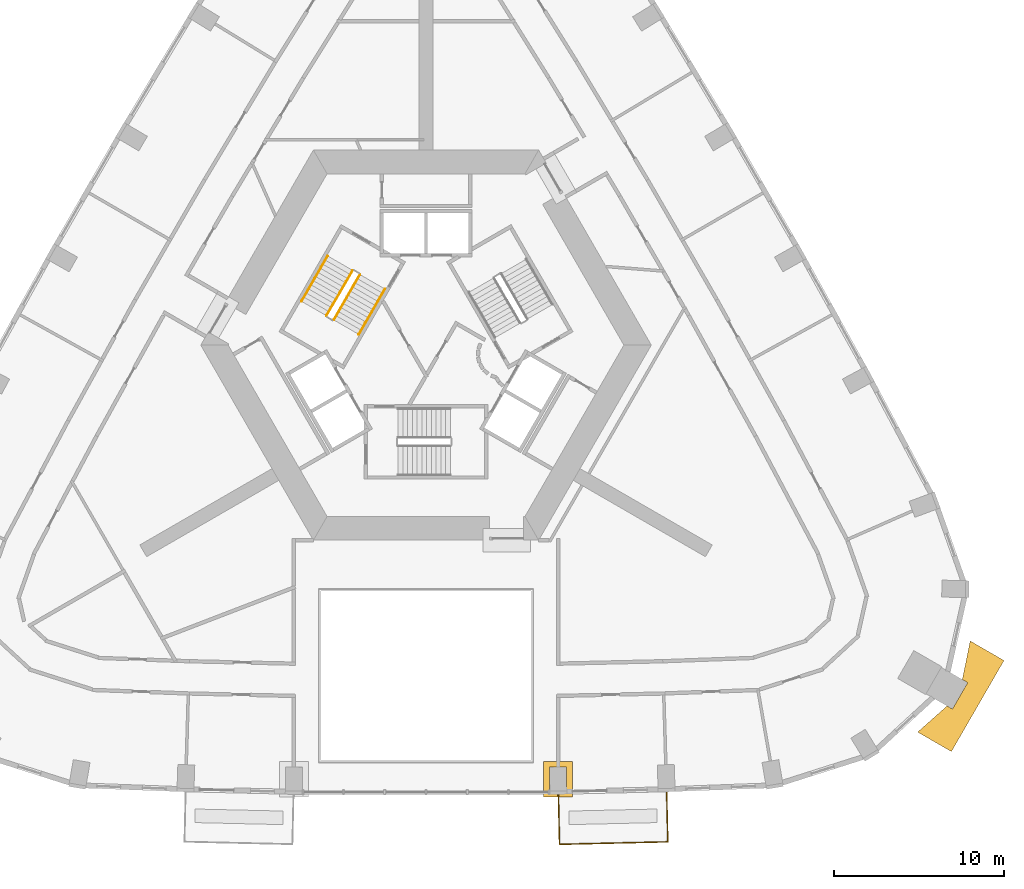
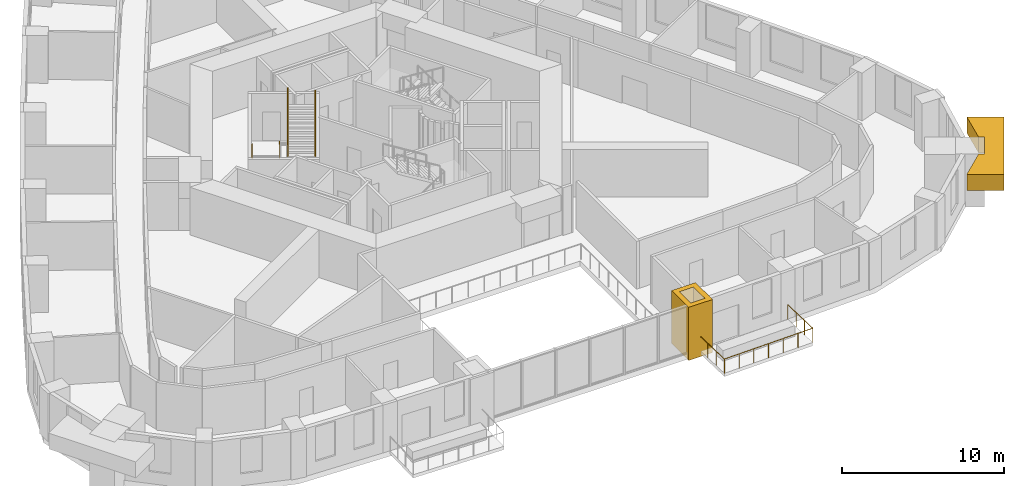
# One storey, part 12 of 13: 5 railings, 2 coverings.
"""IFC4 building model written with IfcOpenShell, lengths in metres."""

from ifc_helpers import new_model, si_unit, direction, frame, origin, origin_2d, place, context, subcontext, project, spatial, polyline, circle, outline, extrude, material, type_object, element, save


model = new_model("IFC4")

# Units and contexts
model_context = context("Model", 3, precision=1e-05, world=origin(), true_north=direction((0.0, 1.0)))
body_context = subcontext(model_context, "Body", "Model", "MODEL_VIEW")
ifc_project = project(units=[si_unit("LENGTHUNIT", "METRE"), si_unit("AREAUNIT", "SQUARE_METRE"), si_unit("VOLUMEUNIT", "CUBIC_METRE"), si_unit("PLANEANGLEUNIT", "RADIAN"), si_unit("MASSUNIT", "GRAM", prefix="KILO")], contexts=[model_context])

# Site, building, storey
site_placement = place(None, origin())
site = spatial("IfcSite", under=ifc_project, at=site_placement, CompositionType="ELEMENT")
building_placement = place(site_placement, origin())
building = spatial("IfcBuilding", under=site, at=building_placement, Name="Entoto Arch Interchange Tower", CompositionType="ELEMENT")
storey_placement = place(building_placement, frame((0.0, 0.0, 231.800048828125)))
storey = spatial("IfcBuildingStorey", under=building, at=storey_placement, Name="L52", CompositionType="ELEMENT", Elevation=231.800048828125)

# Railing
ifc_material_1 = material(Name="Stainless steel 1.4301", Category="steel")
railing_type_1 = type_object("IfcRailingType", Name="GUARD 1100 STEEL AND GLASS", PredefinedType="GUARDRAIL", material=ifc_material_1)
railing_1_placement = place(storey_placement, frame((7.800048828125, -23.97802734375, 0.0)))
element("IfcRailing", 1, at=railing_1_placement, inside=storey, type_object=railing_type_1, Name="Balcony guard S-04 L52", PredefinedType="GUARDRAIL", context=body_context, shape_type="SweptSolid", body=[
    extrude(circle(Radius=0.02392578125, at=origin_2d()), frame((0.0, 0.0, 1.076171875), z_axis=(0.023009057152, -0.9997352566, 0.0), x_axis=(0.9997352566, 0.023009057152, 0.0)), (0.0, 0.0, 1.0), 2.94970703125),
    extrude(circle(Radius=0.02392578125, at=origin_2d()), frame((0.06787109375, -2.948974609375, 1.076171875), z_axis=(0.999731652604, 0.023165119928, 0.0), x_axis=(-0.023165119928, 0.999731652604, 0.0)), (0.0, 0.0, 1.0), 6.38671875),
    extrude(circle(Radius=0.02392578125, at=origin_2d()), frame((6.452880859375, -2.801025390625, 1.076171875), z_axis=(-0.023009057152, 0.9997352566, 0.0), x_axis=(-0.9997352566, -0.023009057152, 0.0)), (0.0, 0.0, 1.0), 2.94970703125),
    extrude(circle(Radius=0.02099609375, at=origin_2d()), origin(), (0.0, 0.0, 1.0), 1.052001953125),
    extrude(circle(Radius=0.02099609375, at=origin_2d()), frame((0.022705078125, -0.98291015625, 0.0)), (0.0, 0.0, 1.0), 1.052001953125),
    extrude(circle(Radius=0.02099609375, at=origin_2d()), frame((0.045166015625, -1.966064453125, 0.0)), (0.0, 0.0, 1.0), 1.052001953125),
    extrude(circle(Radius=0.02099609375, at=origin_2d()), frame((0.06787109375, -2.948974609375, 0.0)), (0.0, 0.0, 1.0), 1.052001953125),
    extrude(circle(Radius=0.02099609375, at=origin_2d()), frame((1.132080078125, -2.92431640625, 0.0)), (0.0, 0.0, 1.0), 1.052001953125),
    extrude(circle(Radius=0.02099609375, at=origin_2d()), frame((2.1962890625, -2.899658203125, 0.0)), (0.0, 0.0, 1.0), 1.052001953125),
    extrude(circle(Radius=0.02099609375, at=origin_2d()), frame((3.26025390625, -2.875, 0.0)), (0.0, 0.0, 1.0), 1.052001953125),
    extrude(circle(Radius=0.02099609375, at=origin_2d()), frame((4.324462890625, -2.850341796875, 0.0)), (0.0, 0.0, 1.0), 1.052001953125),
    extrude(circle(Radius=0.02099609375, at=origin_2d()), frame((5.388671875, -2.82568359375, 0.0)), (0.0, 0.0, 1.0), 1.052001953125),
    extrude(circle(Radius=0.02099609375, at=origin_2d()), frame((6.452880859375, -2.801025390625, 0.0)), (0.0, 0.0, 1.0), 1.052001953125),
    extrude(circle(Radius=0.02099609375, at=origin_2d()), frame((6.43017578125, -1.818115234375, 0.0)), (0.0, 0.0, 1.0), 1.052001953125),
    extrude(circle(Radius=0.02099609375, at=origin_2d()), frame((6.40771484375, -0.8349609375, 0.0)), (0.0, 0.0, 1.0), 1.052001953125),
    extrude(circle(Radius=0.02099609375, at=origin_2d()), frame((6.385009765625, 0.14794921875, 0.0)), (0.0, 0.0, 1.0), 1.052001953125),
])

# Coverings
ifc_material_2 = material(Name="Board-marked precast concrete C50/60", Category="concrete")
covering_type = type_object("IfcCoveringType", Name="PRECAST FRAME COURSE", PredefinedType="CLADDING", material=ifc_material_2)
covering_1_placement = place(storey_placement, frame((0.0, 0.0, 2.39990234375)))
element("IfcCovering", 2, at=covering_1_placement, inside=storey, type_object=covering_type, Name="Corner pilaster head SE L51-L52", PredefinedType="CLADDING", context=body_context, shape_type="SweptSolid", body=[
    extrude(outline(polyline([(34.068115234375, -16.089111328125), (30.968017578125, -21.458984375), (28.97607421875, -20.30908203125), (30.7119140625, -18.77001953125), (31.028076171875, -18.952880859375), (31.927978515625, -17.39501953125), (31.612060546875, -17.2119140625), (32.075927734375, -14.93896484375), (34.068115234375, -16.089111328125)])), origin(), (0.0, 0.0, 1.0), 1.199951171875),
])
covering_2_placement = place(storey_placement, frame((0.0, 0.0, -0.400146484375)))
element("IfcCovering", 3, at=covering_2_placement, inside=storey, type_object=covering_type, Name="Gate pier L52", PredefinedType="CLADDING", context=body_context, shape_type="SweptSolid", body=[
    extrude(outline(polyline([(6.93798828125, -22.028076171875), (8.637939453125, -22.028076171875), (8.637939453125, -24.1279296875), (6.93798828125, -24.1279296875), (6.93798828125, -22.028076171875)]), holes=[polyline([(7.2880859375, -22.3779296875), (7.2880859375, -23.778076171875), (8.2880859375, -23.778076171875), (8.2880859375, -22.3779296875), (7.2880859375, -22.3779296875)])]), origin(), (0.0, 0.0, 1.0), 4.0),
])

# Railings
railing_type_2 = type_object("IfcRailingType", Name="STAIR GUARD 1100 STEEL", PredefinedType="GUARDRAIL", material=ifc_material_1)
railing_2_placement = place(storey_placement, frame((-4.327880859375, 6.904052734375, 0.175048828125)))
element("IfcRailing", 4, at=railing_2_placement, inside=storey, type_object=railing_type_2, Name="L52 ST-NW stair guard 1", PredefinedType="GUARDRAIL", context=body_context, shape_type="SweptSolid", body=[
    extrude(circle(Radius=0.02392578125, at=origin_2d()), frame((0.0, 0.0, 1.076171875), z_axis=(-0.424009578203, -0.734421155904, 0.529944755001), x_axis=(0.866029832698, -0.499992328818, 0.0)), (0.0, 0.0, 1.0), 3.632080078125),
    extrude(circle(Radius=0.02099609375, at=origin_2d()), origin(), (0.0, 0.0, 1.0), 1.052001953125),
    extrude(circle(Radius=0.02099609375, at=origin_2d()), frame((-0.385009765625, -0.6669921875, 0.481201171875)), (0.0, 0.0, 1.0), 1.052001953125),
    extrude(circle(Radius=0.02099609375, at=origin_2d()), frame((-0.77001953125, -1.333740234375, 0.96240234375)), (0.0, 0.0, 1.0), 1.052001953125),
    extrude(circle(Radius=0.02099609375, at=origin_2d()), frame((-1.155029296875, -2.00048828125, 1.443603515625)), (0.0, 0.0, 1.0), 1.052001953125),
    extrude(circle(Radius=0.02099609375, at=origin_2d()), frame((-1.5400390625, -2.66748046875, 1.9248046875)), (0.0, 0.0, 1.0), 1.052001953125),
])
railing_3_placement = place(storey_placement, frame((-5.434814453125, 3.986572265625, 2.27490234375)))
element("IfcRailing", 5, at=railing_3_placement, inside=storey, type_object=railing_type_2, Name="L52 ST-NW stair guard 3", PredefinedType="GUARDRAIL", context=body_context, shape_type="SweptSolid", body=[
    extrude(circle(Radius=0.02392578125, at=origin_2d()), frame((0.0, 0.0, 1.076171875), z_axis=(0.423994474112, 0.734394994316, 0.52999309264), x_axis=(-0.866029832698, 0.499992328818, 0.0)), (0.0, 0.0, 1.0), 3.63232421875),
    extrude(circle(Radius=0.02099609375, at=origin_2d()), origin(), (0.0, 0.0, 1.0), 1.052001953125),
    extrude(circle(Radius=0.02099609375, at=origin_2d()), frame((0.385009765625, 0.6669921875, 0.481201171875)), (0.0, 0.0, 1.0), 1.052001953125),
    extrude(circle(Radius=0.02099609375, at=origin_2d()), frame((0.77001953125, 1.333740234375, 0.96240234375)), (0.0, 0.0, 1.0), 1.052001953125),
    extrude(circle(Radius=0.02099609375, at=origin_2d()), frame((1.155029296875, 2.00048828125, 1.44384765625)), (0.0, 0.0, 1.0), 1.052001953125),
    extrude(circle(Radius=0.02099609375, at=origin_2d()), frame((1.5400390625, 2.66748046875, 1.925048828125)), (0.0, 0.0, 1.0), 1.052001953125),
])
railing_type_3 = type_object("IfcRailingType", Name="STAIR HANDRAIL 900 STEEL", PredefinedType="HANDRAIL", material=ifc_material_1)
railing_4_placement = place(storey_placement, frame((-5.800048828125, 7.75390625, 0.175048828125)))
element("IfcRailing", 6, at=railing_4_placement, inside=storey, type_object=railing_type_3, Name="L52 ST-NW stair handrail 1", PredefinedType="HANDRAIL", context=body_context, shape_type="SweptSolid", body=[
    extrude(circle(Radius=0.02392578125, at=origin_2d()), frame((0.0, 0.0, 0.8759765625), z_axis=(-0.42403051051, -0.734390191396, 0.529970917068), x_axis=(0.866010015463, -0.500026652407, 0.0)), (0.0, 0.0, 1.0), 3.6318359375),
    extrude(circle(Radius=0.02099609375, at=origin_2d()), origin(), (0.0, 0.0, 1.0), 0.851806640625),
    extrude(circle(Radius=0.02099609375, at=origin_2d()), frame((-0.385009765625, -0.666748046875, 0.481201171875)), (0.0, 0.0, 1.0), 0.851806640625),
    extrude(circle(Radius=0.02099609375, at=origin_2d()), frame((-0.77001953125, -1.33349609375, 0.96240234375)), (0.0, 0.0, 1.0), 0.851806640625),
    extrude(circle(Radius=0.02099609375, at=origin_2d()), frame((-1.155029296875, -2.00048828125, 1.443603515625)), (0.0, 0.0, 1.0), 0.851806640625),
    extrude(circle(Radius=0.02099609375, at=origin_2d()), frame((-1.5400390625, -2.667236328125, 1.9248046875)), (0.0, 0.0, 1.0), 0.851806640625),
])
railing_5_placement = place(storey_placement, frame((-3.962646484375, 3.136474609375, 2.27490234375)))
element("IfcRailing", 7, at=railing_5_placement, inside=storey, type_object=railing_type_3, Name="L52 ST-NW stair handrail 2", PredefinedType="HANDRAIL", context=body_context, shape_type="SweptSolid", body=[
    extrude(circle(Radius=0.02392578125, at=origin_2d()), frame((0.0, 0.0, 0.8759765625), z_axis=(0.423994474112, 0.734394994316, 0.52999309264), x_axis=(-0.866029832698, 0.499992328818, 0.0)), (0.0, 0.0, 1.0), 3.63232421875),
    extrude(circle(Radius=0.02099609375, at=origin_2d()), origin(), (0.0, 0.0, 1.0), 0.851806640625),
    extrude(circle(Radius=0.02099609375, at=origin_2d()), frame((0.385009765625, 0.6669921875, 0.481201171875)), (0.0, 0.0, 1.0), 0.851806640625),
    extrude(circle(Radius=0.02099609375, at=origin_2d()), frame((0.77001953125, 1.333740234375, 0.96240234375)), (0.0, 0.0, 1.0), 0.851806640625),
    extrude(circle(Radius=0.02099609375, at=origin_2d()), frame((1.155029296875, 2.00048828125, 1.44384765625)), (0.0, 0.0, 1.0), 0.851806640625),
    extrude(circle(Radius=0.02099609375, at=origin_2d()), frame((1.5400390625, 2.66748046875, 1.925048828125)), (0.0, 0.0, 1.0), 0.851806640625),
])

save(model, "model.ifc")
